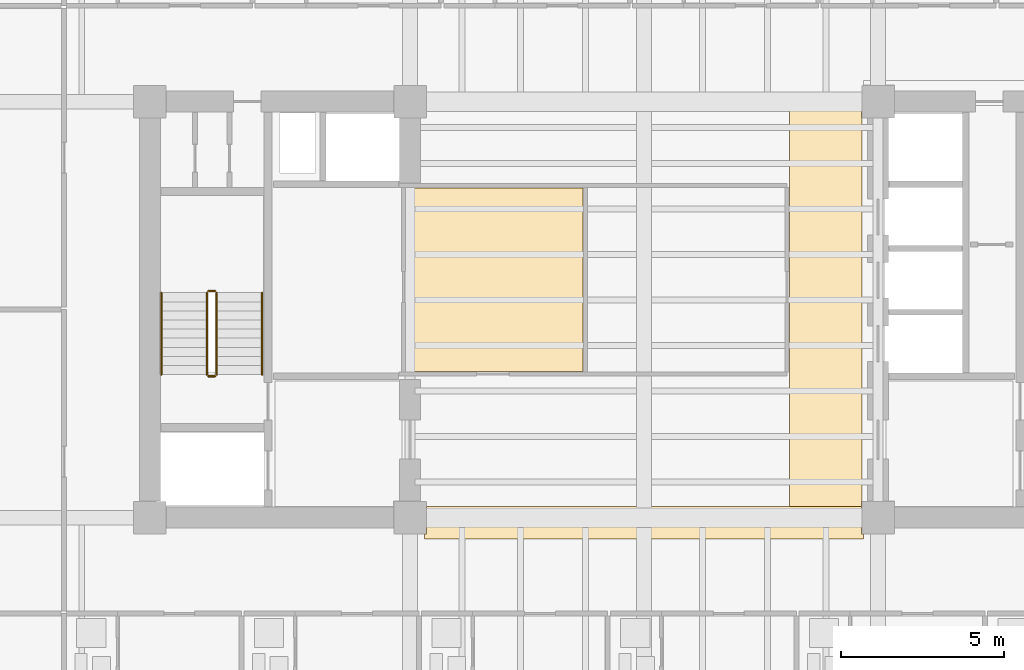
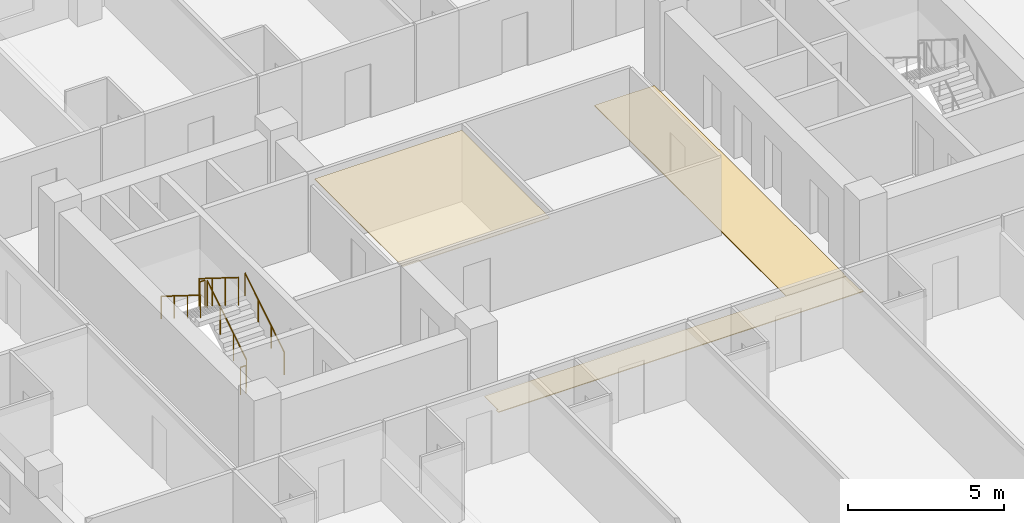
# One storey, part 11 of 14: 6 railings, 3 coverings.
"""IFC4 building model written with IfcOpenShell, lengths in metres."""

import ifcopenshell
import ifcopenshell.guid

model = None  # the IFC model being written
_history = None  # IfcOwnerHistory: only IFC2X3 demands one
_inside = {}  # id of a spatial element -> (the spatial element, [elements in it])
_under = {}  # id of a project, library or spatial element -> (it, [spatial elements below it])
_declared = {}  # id of a project -> (the project, [libraries it declares])
_typed = {}  # id of a type object -> (the type object, [elements of that type])
_made_of = {}  # id of a material, layer set ... -> (it, [elements and type objects made of it])


def new_model(schema):
    """Start an empty IFC model of exactly this schema.

    Asked for "IFC4X3", IfcOpenShell would pick the latest addendum, in which some entities
    have other attributes; the version numbers below select the first issue.
    IFC2X3 requires an IfcOwnerHistory on every rooted entity: one is made here for all.
    """
    global model, _history
    if schema == "IFC4X3":
        model = ifcopenshell.file(schema_version=(4, 3, 0, 0))
    else:
        model = ifcopenshell.file(schema=schema)
    _inside.clear()
    _under.clear()
    _declared.clear()
    _typed.clear()
    _made_of.clear()
    _history = None
    if model.schema == "IFC2X3":
        org = make("IfcOrganization", Name="unknown")
        user = make(
            "IfcPersonAndOrganization",
            ThePerson=make("IfcPerson", FamilyName="unknown"),
            TheOrganization=org,
        )
        app = make(
            "IfcApplication",
            ApplicationDeveloper=org,
            Version="unknown",
            ApplicationFullName="unknown",
            ApplicationIdentifier="unknown",
        )
        _history = make(
            "IfcOwnerHistory",
            OwningUser=user,
            OwningApplication=app,
            ChangeAction="ADDED",
            CreationDate=0,
        )
    return model


def make(cls, **values):
    """One entity of the class cls with the attributes given. An attribute that is None is left unset."""
    return model.create_entity(
        cls, **{name: value for name, value in values.items() if value is not None}
    )


def rooted(cls, **values):
    """An entity with a GlobalId (a new one), such as an element, a storey or a relation."""
    return make(cls, GlobalId=ifcopenshell.guid.new(), OwnerHistory=_history, **values)


def si_unit(unit_type, name, prefix=None):
    """IfcSIUnit, for example si_unit("LENGTHUNIT", "METRE", prefix="MILLI")."""
    return make("IfcSIUnit", UnitType=unit_type, Prefix=prefix, Name=name)


def assignment(units):
    """IfcUnitAssignment: the units of a project."""
    return None if units is None else make("IfcUnitAssignment", Units=units)


def point(xyz):
    """IfcCartesianPoint."""
    return None if xyz is None else make("IfcCartesianPoint", Coordinates=xyz)


def direction(xyz):
    """IfcDirection."""
    return None if xyz is None else make("IfcDirection", DirectionRatios=xyz)


def frame(location, z_axis=None, x_axis=None):
    """IfcAxis2Placement3D, a coordinate frame: its origin and axes. An axis left out is left unset."""
    return make(
        "IfcAxis2Placement3D",
        Location=point(location),
        Axis=direction(z_axis),
        RefDirection=direction(x_axis),
    )


def frame_2d(location, x_axis=None):
    """IfcAxis2Placement2D, a coordinate frame in the plane: its origin and x axis."""
    return make(
        "IfcAxis2Placement2D", Location=point(location), RefDirection=direction(x_axis)
    )


def origin():
    """The frame at (0, 0, 0) with its axes left unset."""
    return frame((0.0, 0.0, 0.0))


def origin_2d():
    """The frame at (0, 0) in the plane with its x axis left unset."""
    return frame_2d((0.0, 0.0))


def place(relative_to, where):
    """IfcLocalPlacement: puts the frame where relative to a parent placement (None: the world)."""
    return make(
        "IfcLocalPlacement", PlacementRelTo=relative_to, RelativePlacement=where
    )


def context(
    kind, dimensions, precision=None, world=None, true_north=None, identifier=None
):
    """IfcGeometricRepresentationContext, for example the 3D "Model" context."""
    return make(
        "IfcGeometricRepresentationContext",
        ContextIdentifier=identifier,
        ContextType=kind,
        CoordinateSpaceDimension=dimensions,
        Precision=precision,
        WorldCoordinateSystem=world,
        TrueNorth=true_north,
    )


def subcontext(parent, identifier, kind, view, scale=None):
    """IfcGeometricRepresentationSubContext, for example "Body" below "Model"."""
    return make(
        "IfcGeometricRepresentationSubContext",
        ContextIdentifier=identifier,
        ContextType=kind,
        ParentContext=parent,
        TargetScale=scale,
        TargetView=view,
    )


def project(units=None, contexts=None):
    """IfcProject with its units and contexts."""
    return rooted(
        "IfcProject",
        Name="project",
        RepresentationContexts=contexts,
        UnitsInContext=assignment(units),
    )


def spatial(cls, under=None, at=None, **own):
    """A site, building, storey or space (cls), placed at a placement, below another one or the project."""
    s = rooted(cls, ObjectPlacement=at, **own)
    if under is not None:
        _under.setdefault(under.id(), (under, []))[1].append(s)
    return s


def polyline(points):
    """IfcPolyline through the points."""
    return make("IfcPolyline", Points=[point(p) for p in points])


def profile(cls, at=None, kind="AREA", **sizes):
    """A parametric profile (cls). Its sizes go by their IFC names, for example OverallWidth=200.0."""
    return make(cls, ProfileType=kind, Position=at, **sizes)


def circle(**sizes):
    """IfcCircleProfileDef."""
    return profile("IfcCircleProfileDef", **sizes)


def outline(outer, holes=None, kind="AREA"):
    """IfcArbitraryClosedProfileDef: a profile drawn as a closed curve; with holes, ...WithVoids."""
    if holes is None:
        return make("IfcArbitraryClosedProfileDef", ProfileType=kind, OuterCurve=outer)
    return make(
        "IfcArbitraryProfileDefWithVoids",
        ProfileType=kind,
        OuterCurve=outer,
        InnerCurves=holes,
    )


def extrude(swept, where, along, depth):
    """IfcExtrudedAreaSolid: the profile swept, set in the frame where, extruded along a direction by depth."""
    return make(
        "IfcExtrudedAreaSolid",
        SweptArea=swept,
        Position=where,
        ExtrudedDirection=direction(along),
        Depth=depth,
    )


def shape(context_of_items, identifier, shape_type, items):
    """IfcShapeRepresentation: the items that make up one representation, for example the "Body"."""
    return make(
        "IfcShapeRepresentation",
        ContextOfItems=context_of_items,
        RepresentationIdentifier=identifier,
        RepresentationType=shape_type,
        Items=items,
    )


def material(Name=None, Category=None):
    """IfcMaterial."""
    return make("IfcMaterial", Name=Name, Category=Category)


def layer(
    of_material, thickness, ventilated=None, Name=None, Category=None, Priority=None
):
    """IfcMaterialLayer: one layer of a wall or slab, of a material (None: an air gap)."""
    return make(
        "IfcMaterialLayer",
        Material=of_material,
        LayerThickness=thickness,
        IsVentilated=ventilated,
        Name=Name,
        Category=Category,
        Priority=Priority,
    )


def layer_set(layers, Name=None):
    """IfcMaterialLayerSet."""
    return make("IfcMaterialLayerSet", MaterialLayers=layers, LayerSetName=Name)


def made_of(thing, what):
    """Note that an element or type object is made of a material, layer set ...; save() writes the relation."""
    if what is not None:
        _made_of.setdefault(what.id(), (what, []))[1].append(thing)
    return thing


def type_object(cls, material=None, **own):
    """A type object (cls), such as IfcWallType, which elements share."""
    return made_of(rooted(cls, **own), material)


def element(
    cls,
    number,
    at=None,
    inside=None,
    cuts=None,
    type_object=None,
    material=None,
    context=None,
    identifier="Body",
    shape_type=None,
    held_by="IfcProductDefinitionShape",
    body=None,
    shapes=None,
    **own,
):
    """One element of the class cls, such as IfcWall. Its Tag is "e" and its number.

    at: its placement. inside: the storey or other place that contains it. cuts: it is an
    opening in that element (IfcRelVoidsElement). A single representation is given by context,
    identifier, shape_type and body (its items); several are given by shapes. held_by: the class
    of the entity that holds the representations. save() writes the other relations.
    """
    e = rooted(cls, Tag="e%d" % number, ObjectPlacement=at, **own)
    if body is not None:
        shapes = [shape(context, identifier, shape_type, body)]
    if shapes is not None:
        e.Representation = make(held_by, Representations=shapes)
    if inside is not None:
        _inside.setdefault(inside.id(), (inside, []))[1].append(e)
    if cuts is not None:
        rooted(
            "IfcRelVoidsElement", RelatingBuildingElement=cuts, RelatedOpeningElement=e
        )
    if type_object is not None:
        _typed.setdefault(type_object.id(), (type_object, []))[1].append(e)
    return made_of(e, material)


def aggregate(whole, parts):
    """IfcRelAggregates: a whole, such as a stair, and the parts it consists of."""
    return rooted("IfcRelAggregates", RelatingObject=whole, RelatedObjects=parts)


def save(model, path):
    """Write the relations noted so far, then the file.

    IfcRelAggregates (storeys below a building ...), IfcRelContainedInSpatialStructure (elements
    in a storey), IfcRelDefinesByType, IfcRelAssociatesMaterial and IfcRelDeclares: one each for
    every whole, place, type object, material and project.
    """
    for whole, parts in _under.values():
        aggregate(whole, parts)
    for where, things in _inside.values():
        rooted(
            "IfcRelContainedInSpatialStructure",
            RelatedElements=things,
            RelatingStructure=where,
        )
    for kind, things in _typed.values():
        rooted("IfcRelDefinesByType", RelatedObjects=things, RelatingType=kind)
    for what, things in _made_of.values():
        rooted("IfcRelAssociatesMaterial", RelatedObjects=things, RelatingMaterial=what)
    for by, libraries in _declared.values():
        rooted("IfcRelDeclares", RelatingContext=by, RelatedDefinitions=libraries)
    model.write(path)


model = new_model("IFC4")

# Units and contexts
model_context = context("Model", 3, precision=1e-05, world=origin(), true_north=direction((0.0, 1.0)))
body_context = subcontext(model_context, "Body", "Model", "MODEL_VIEW")
ifc_project = project(units=[si_unit("LENGTHUNIT", "METRE"), si_unit("AREAUNIT", "SQUARE_METRE"), si_unit("VOLUMEUNIT", "CUBIC_METRE"), si_unit("PLANEANGLEUNIT", "RADIAN"), si_unit("MASSUNIT", "GRAM", prefix="KILO")], contexts=[model_context])

# Site, building, storey
site_placement = place(None, origin())
site = spatial("IfcSite", under=ifc_project, at=site_placement, CompositionType="ELEMENT")
building_placement = place(site_placement, origin())
building = spatial("IfcBuilding", under=site, at=building_placement, Name="Kranthara Brick Stack", CompositionType="ELEMENT")
storey_placement = place(building_placement, frame((0.0, 0.0, 137.800048828125)))
storey = spatial("IfcBuildingStorey", under=building, at=storey_placement, Name="L34", CompositionType="ELEMENT", Elevation=137.800048828125)

# Coverings
ifc_material_1 = material(Name="Perforated mineral-fibre acoustic ceiling tile", Category="other")
ifc_layer_1 = layer(ifc_material_1, 0.02490234375)
ifc_layer_set_1 = layer_set([ifc_layer_1], Name="Perforated mineral-fibre acoustic ceiling tile")
covering_type_1 = type_object("IfcCoveringType", Name="COV-CEIL-ACOUSTIC", PredefinedType="CEILING", material=ifc_layer_set_1)
covering_1_placement = place(storey_placement, frame((0.0, 0.0, 2.780029296875)))
element("IfcCovering", 1, at=covering_1_placement, inside=storey, type_object=covering_type_1, Name="L34 L34 Hotel Tea Salon Acoustic Ceiling", PredefinedType="CEILING", context=body_context, shape_type="SweptSolid", body=[
    extrude(outline(polyline([(26.1201171875, 25.300048828125), (26.1201171875, 30.93994140625), (20.679931640625, 30.93994140625), (20.679931640625, 25.300048828125), (26.1201171875, 25.300048828125)])), origin(), (0.0, 0.0, 1.0), 0.02490234375),
])
ifc_material_2 = material(Name="Honed terrazzo and porcelain floor finish", Category="stone")
ifc_layer_2 = layer(ifc_material_2, 0.030029296875)
ifc_layer_set_2 = layer_set([ifc_layer_2], Name="Honed terrazzo and porcelain floor finish")
covering_type_2 = type_object("IfcCoveringType", Name="COV-FLOR-STONE", PredefinedType="FLOORING", material=ifc_layer_set_2)
covering_2_placement = place(storey_placement, origin())
element("IfcCovering", 2, at=covering_2_placement, inside=storey, type_object=covering_type_2, Name="L34 Lift Lobby Stone Flooring", PredefinedType="FLOORING", context=body_context, shape_type="SweptSolid", body=[
    extrude(outline(polyline([(32.47998046875, 33.449951171875), (34.68994140625, 33.449951171875), (34.68994140625, 33.090087890625), (34.699951171875, 33.090087890625), (34.699951171875, 21.31005859375), (34.68994140625, 21.31005859375), (34.68994140625, 21.14990234375), (32.47998046875, 21.14990234375), (32.47998046875, 33.449951171875)])), origin(), (0.0, 0.0, 1.0), 0.030029296875),
])
covering_3_placement = place(storey_placement, origin())
element("IfcCovering", 3, at=covering_3_placement, inside=storey, type_object=covering_type_2, Name="L34 Lift Lobby Stone Flooring", PredefinedType="FLOORING", context=body_context, shape_type="SweptSolid", body=[
    extrude(outline(polyline([(21.25, 20.2900390625), (21.31005859375, 20.2900390625), (21.31005859375, 21.14990234375), (32.47998046875, 21.14990234375), (34.68994140625, 21.14990234375), (34.68994140625, 20.2900390625), (34.75, 20.2900390625), (34.75, 20.14990234375), (21.25, 20.14990234375), (21.25, 20.2900390625)])), origin(), (0.0, 0.0, 1.0), 0.030029296875),
])

# Railings
ifc_material_3 = material(Name="Painted galvanized steel stair guardrail", Category="steel")
railing_type_1 = type_object("IfcRailingType", Name="RL-STAIR-GUARD-1100", PredefinedType="GUARDRAIL", material=ifc_material_3)
railing_1_placement = place(storey_placement, frame((14.85009765625, 25.199951171875, 0.175048828125)))
element("IfcRailing", 4, at=railing_1_placement, inside=storey, type_object=railing_type_1, Name="L34 ST01 stair guard 1", PredefinedType="GUARDRAIL", context=body_context, shape_type="SweptSolid", body=[
    extrude(circle(Radius=0.02392578125, at=origin_2d()), frame((0.0, 0.0, 1.076171875), z_axis=(0.0, 0.848007534815, 0.529984170421), x_axis=(-1.0, 0.0, 0.0)), (0.0, 0.0, 1.0), 2.9716796875),
    extrude(circle(Radius=0.02099609375, at=origin_2d()), origin(), (0.0, 0.0, 1.0), 1.052001953125),
    extrude(circle(Radius=0.02099609375, at=origin_2d()), frame((0.0, 0.840087890625, 0.52490234375)), (0.0, 0.0, 1.0), 1.052001953125),
    extrude(circle(Radius=0.02099609375, at=origin_2d()), frame((0.0, 1.679931640625, 1.050048828125)), (0.0, 0.0, 1.0), 1.052001953125),
    extrude(circle(Radius=0.02099609375, at=origin_2d()), frame((0.0, 2.52001953125, 1.574951171875)), (0.0, 0.0, 1.0), 1.052001953125),
])
railing_2_placement = place(storey_placement, frame((14.800048828125, 27.77001953125, 1.75)))
element("IfcRailing", 5, at=railing_2_placement, inside=storey, type_object=railing_type_1, Name="L34 ST01 stair guard 2", PredefinedType="GUARDRAIL", context=body_context, shape_type="SweptSolid", body=[
    extrude(circle(Radius=0.02392578125, at=origin_2d()), frame((0.0, 0.0, 1.076171875), z_axis=(-1.0, 0.0, 0.0), x_axis=(0.0, -1.0, 0.0)), (0.0, 0.0, 1.0), 0.199951171875),
    extrude(circle(Radius=0.02099609375, at=origin_2d()), origin(), (0.0, 0.0, 1.0), 1.052001953125),
    extrude(circle(Radius=0.02099609375, at=origin_2d()), frame((-0.199951171875, 0.0, 0.0)), (0.0, 0.0, 1.0), 1.052001953125),
])
railing_3_placement = place(storey_placement, frame((14.550048828125, 27.719970703125, 1.925048828125)))
element("IfcRailing", 6, at=railing_3_placement, inside=storey, type_object=railing_type_1, Name="L34 ST01 stair guard 3", PredefinedType="GUARDRAIL", context=body_context, shape_type="SweptSolid", body=[
    extrude(circle(Radius=0.02392578125, at=origin_2d()), frame((0.0, 0.0, 1.076171875), z_axis=(0.0, -0.848007534815, 0.529984170421), x_axis=(1.0, 0.0, 0.0)), (0.0, 0.0, 1.0), 2.9716796875),
    extrude(circle(Radius=0.02099609375, at=origin_2d()), origin(), (0.0, 0.0, 1.0), 1.052001953125),
    extrude(circle(Radius=0.02099609375, at=origin_2d()), frame((0.0, -0.840087890625, 0.52490234375)), (0.0, 0.0, 1.0), 1.052001953125),
    extrude(circle(Radius=0.02099609375, at=origin_2d()), frame((0.0, -1.679931640625, 1.050048828125)), (0.0, 0.0, 1.0), 1.052001953125),
    extrude(circle(Radius=0.02099609375, at=origin_2d()), frame((0.0, -2.52001953125, 1.574951171875)), (0.0, 0.0, 1.0), 1.052001953125),
])
railing_4_placement = place(storey_placement, frame((14.800048828125, 25.14990234375, 0.0)))
element("IfcRailing", 7, at=railing_4_placement, inside=storey, type_object=railing_type_1, Name="L34 ST01 stair guard 4", PredefinedType="GUARDRAIL", context=body_context, shape_type="SweptSolid", body=[
    extrude(circle(Radius=0.02392578125, at=origin_2d()), frame((0.0, 0.0, 1.076171875), z_axis=(-1.0, 0.0, 0.0), x_axis=(0.0, -1.0, 0.0)), (0.0, 0.0, 1.0), 0.199951171875),
    extrude(circle(Radius=0.02099609375, at=origin_2d()), origin(), (0.0, 0.0, 1.0), 1.052001953125),
    extrude(circle(Radius=0.02099609375, at=origin_2d()), frame((-0.199951171875, 0.0, 0.0)), (0.0, 0.0, 1.0), 1.052001953125),
])
ifc_material_4 = material(Name="Brushed stainless steel tubular handrail", Category="steel")
railing_type_2 = type_object("IfcRailingType", Name="RL-STAIR-HAND-900", PredefinedType="HANDRAIL", material=ifc_material_4)
railing_5_placement = place(storey_placement, frame((16.25, 25.199951171875, 0.175048828125)))
element("IfcRailing", 8, at=railing_5_placement, inside=storey, type_object=railing_type_2, Name="L34 ST01 stair handrail 1", PredefinedType="HANDRAIL", context=body_context, shape_type="SweptSolid", body=[
    extrude(circle(Radius=0.02392578125, at=origin_2d()), frame((0.0, 0.0, 0.8759765625), z_axis=(0.0, 0.848007534815, 0.529984170421), x_axis=(-1.0, 0.0, 0.0)), (0.0, 0.0, 1.0), 2.9716796875),
    extrude(circle(Radius=0.02099609375, at=origin_2d()), origin(), (0.0, 0.0, 1.0), 0.851806640625),
    extrude(circle(Radius=0.02099609375, at=origin_2d()), frame((0.0, 0.840087890625, 0.52490234375)), (0.0, 0.0, 1.0), 0.851806640625),
    extrude(circle(Radius=0.02099609375, at=origin_2d()), frame((0.0, 1.679931640625, 1.050048828125)), (0.0, 0.0, 1.0), 0.851806640625),
    extrude(circle(Radius=0.02099609375, at=origin_2d()), frame((0.0, 2.52001953125, 1.574951171875)), (0.0, 0.0, 1.0), 0.851806640625),
])
railing_6_placement = place(storey_placement, frame((13.14990234375, 27.719970703125, 1.925048828125)))
element("IfcRailing", 9, at=railing_6_placement, inside=storey, type_object=railing_type_2, Name="L34 ST01 stair handrail 2", PredefinedType="HANDRAIL", context=body_context, shape_type="SweptSolid", body=[
    extrude(circle(Radius=0.02392578125, at=origin_2d()), frame((0.0, 0.0, 0.8759765625), z_axis=(0.0, -0.848007534815, 0.529984170421), x_axis=(1.0, 0.0, 0.0)), (0.0, 0.0, 1.0), 2.9716796875),
    extrude(circle(Radius=0.02099609375, at=origin_2d()), origin(), (0.0, 0.0, 1.0), 0.851806640625),
    extrude(circle(Radius=0.02099609375, at=origin_2d()), frame((0.0, -0.840087890625, 0.52490234375)), (0.0, 0.0, 1.0), 0.851806640625),
    extrude(circle(Radius=0.02099609375, at=origin_2d()), frame((0.0, -1.679931640625, 1.050048828125)), (0.0, 0.0, 1.0), 0.851806640625),
    extrude(circle(Radius=0.02099609375, at=origin_2d()), frame((0.0, -2.52001953125, 1.574951171875)), (0.0, 0.0, 1.0), 0.851806640625),
])

save(model, "model.ifc")
